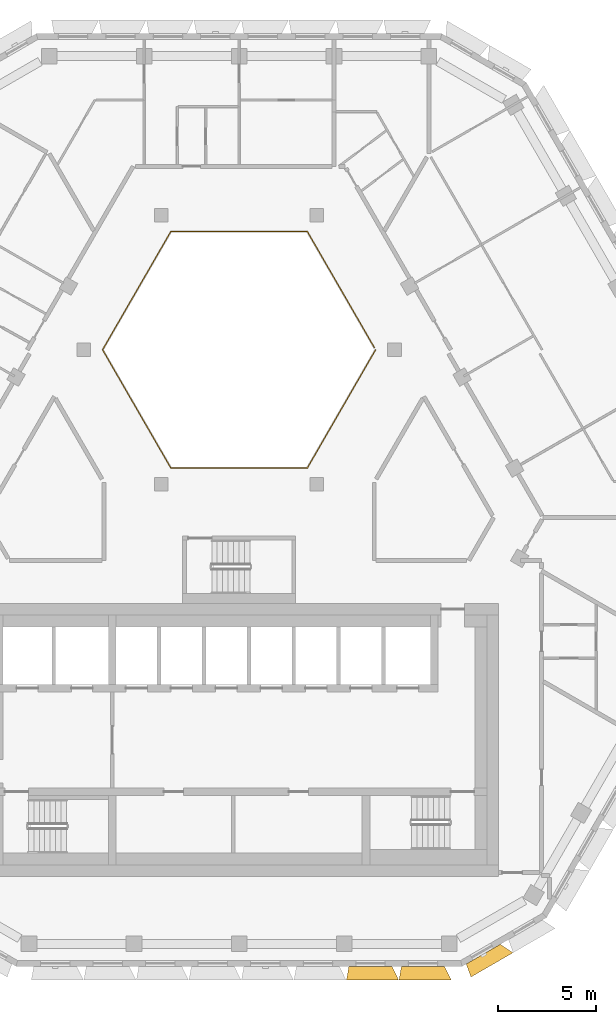
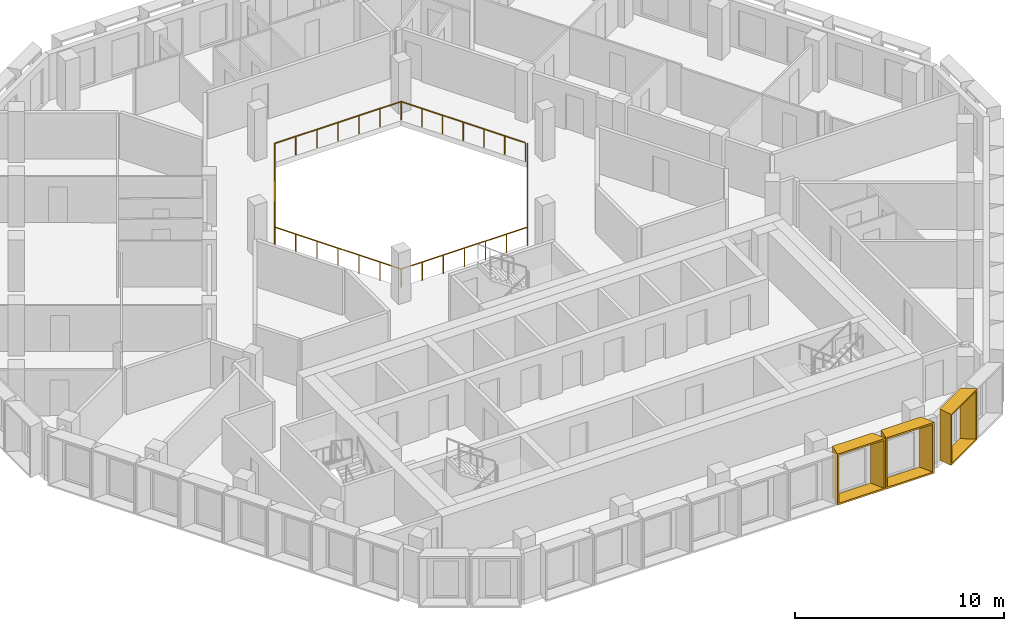
# One storey, part 15 of 17: 3 shading devices, 1 railing.
"""IFC4 building model written with IfcOpenShell, lengths in metres."""

from ifc_helpers import new_model, entity, si_unit, direction, frame, origin, origin_2d, place, context, subcontext, project, spatial, rectangle, extrude, source, transform, mapped, material, type_object, type_shapes, element, save


model = new_model("IFC4")

# Units and contexts
model_context = context("Model", 3, precision=1e-05, world=origin(), true_north=direction((0.0, 1.0)))
body_context = subcontext(model_context, "Body", "Model", "MODEL_VIEW")
ifc_project = project(units=[si_unit("LENGTHUNIT", "METRE"), si_unit("AREAUNIT", "SQUARE_METRE"), si_unit("VOLUMEUNIT", "CUBIC_METRE"), si_unit("PLANEANGLEUNIT", "RADIAN"), si_unit("MASSUNIT", "GRAM", prefix="KILO")], contexts=[model_context])

# Site, building, storey
site_placement = place(None, origin())
site = spatial("IfcSite", under=ifc_project, at=site_placement, CompositionType="ELEMENT")
building_placement = place(site_placement, origin())
building = spatial("IfcBuilding", under=site, at=building_placement, Name="Beryl Residences", CompositionType="ELEMENT")
storey_placement = place(building_placement, frame((0.0, 0.0, 178.199951171875)))
storey = spatial("IfcBuildingStorey", under=building, at=storey_placement, Name="L54", CompositionType="ELEMENT", Elevation=178.199951171875)

# Railing
ifc_material_1 = material(Name="Stainless steel balustrade with glass infill", Category="steel")
railing_type = type_object("IfcRailingType", Name="EG1 edge guard 1100 mm", PredefinedType="GUARDRAIL", material=ifc_material_1)
railing_placement = place(storey_placement, frame((6.9970703125, 8.0, 0.0)))
element("IfcRailing", 1, at=railing_placement, inside=storey, type_object=railing_type, Name="L54 atrium guard", PredefinedType="GUARDRAIL", context=body_context, shape_type="SweptSolid", body=[
    extrude(rectangle(XDim=0.048095703125, YDim=0.048095703125, at=origin_2d()), frame((0.0, 0.0, 1.076171875), z_axis=(-0.499921796684, -0.866070549782, 0.0), x_axis=(0.866070549782, -0.499921796684, 0.0)), (0.0, 0.0, 1.0), 6.9970703125),
    extrude(rectangle(XDim=0.048095703125, YDim=0.048095703125, at=origin_2d()), frame((-3.498046875, -6.06005859375, 1.076171875), z_axis=(-1.0, 0.0, 0.0), x_axis=(0.0, -1.0, 0.0)), (0.0, 0.0, 1.0), 6.998046875),
    extrude(rectangle(XDim=0.048095703125, YDim=0.048095703125, at=origin_2d()), frame((-10.49609375, -6.06005859375, 1.076171875), z_axis=(-0.499921796684, 0.866070549782, 0.0), x_axis=(-0.866070549782, -0.499921796684, 0.0)), (0.0, 0.0, 1.0), 6.9970703125),
    extrude(rectangle(XDim=0.048095703125, YDim=0.048095703125, at=origin_2d()), frame((-13.994140625, 0.0, 1.076171875), z_axis=(0.499921796684, 0.866070549782, 0.0), x_axis=(-0.866070549782, 0.499921796684, 0.0)), (0.0, 0.0, 1.0), 6.9970703125),
    extrude(rectangle(XDim=0.048095703125, YDim=0.048095703125, at=origin_2d()), frame((-10.49609375, 6.06005859375, 1.076171875), z_axis=(1.0, 0.0, 0.0), x_axis=(0.0, 1.0, 0.0)), (0.0, 0.0, 1.0), 6.998046875),
    extrude(rectangle(XDim=0.048095703125, YDim=0.048095703125, at=origin_2d()), frame((-3.498046875, 6.06005859375, 1.076171875), z_axis=(0.499919131929, -0.866072087953, 0.0), x_axis=(0.866072087953, 0.499919131929, 0.0)), (0.0, 0.0, 1.0), 6.877197265625),
    extrude(rectangle(XDim=0.0419921875, YDim=0.0419921875, at=origin_2d()), origin(), (0.0, 0.0, 1.0), 1.052001953125),
    extrude(rectangle(XDim=0.0419921875, YDim=0.0419921875, at=origin_2d()), frame((-0.5830078125, -1.010009765625, 0.0)), (0.0, 0.0, 1.0), 1.052001953125),
    extrude(rectangle(XDim=0.0419921875, YDim=0.0419921875, at=origin_2d()), frame((-1.166015625, -2.02001953125, 0.0)), (0.0, 0.0, 1.0), 1.052001953125),
    extrude(rectangle(XDim=0.0419921875, YDim=0.0419921875, at=origin_2d()), frame((-1.7490234375, -3.030029296875, 0.0)), (0.0, 0.0, 1.0), 1.052001953125),
    extrude(rectangle(XDim=0.0419921875, YDim=0.0419921875, at=origin_2d()), frame((-2.33203125, -4.0400390625, 0.0)), (0.0, 0.0, 1.0), 1.052001953125),
    extrude(rectangle(XDim=0.0419921875, YDim=0.0419921875, at=origin_2d()), frame((-2.9150390625, -5.050048828125, 0.0)), (0.0, 0.0, 1.0), 1.052001953125),
    extrude(rectangle(XDim=0.0419921875, YDim=0.0419921875, at=origin_2d()), frame((-3.498046875, -6.06005859375, 0.0)), (0.0, 0.0, 1.0), 1.052001953125),
    extrude(rectangle(XDim=0.0419921875, YDim=0.0419921875, at=origin_2d()), frame((-4.664306640625, -6.06005859375, 0.0)), (0.0, 0.0, 1.0), 1.052001953125),
    extrude(rectangle(XDim=0.0419921875, YDim=0.0419921875, at=origin_2d()), frame((-5.830810546875, -6.06005859375, 0.0)), (0.0, 0.0, 1.0), 1.052001953125),
    extrude(rectangle(XDim=0.0419921875, YDim=0.0419921875, at=origin_2d()), frame((-6.9970703125, -6.06005859375, 0.0)), (0.0, 0.0, 1.0), 1.052001953125),
    extrude(rectangle(XDim=0.0419921875, YDim=0.0419921875, at=origin_2d()), frame((-8.163330078125, -6.06005859375, 0.0)), (0.0, 0.0, 1.0), 1.052001953125),
    extrude(rectangle(XDim=0.0419921875, YDim=0.0419921875, at=origin_2d()), frame((-9.329833984375, -6.06005859375, 0.0)), (0.0, 0.0, 1.0), 1.052001953125),
    extrude(rectangle(XDim=0.0419921875, YDim=0.0419921875, at=origin_2d()), frame((-10.49609375, -6.06005859375, 0.0)), (0.0, 0.0, 1.0), 1.052001953125),
    extrude(rectangle(XDim=0.0419921875, YDim=0.0419921875, at=origin_2d()), frame((-11.0791015625, -5.050048828125, 0.0)), (0.0, 0.0, 1.0), 1.052001953125),
    extrude(rectangle(XDim=0.0419921875, YDim=0.0419921875, at=origin_2d()), frame((-11.662109375, -4.0400390625, 0.0)), (0.0, 0.0, 1.0), 1.052001953125),
    extrude(rectangle(XDim=0.0419921875, YDim=0.0419921875, at=origin_2d()), frame((-12.2451171875, -3.030029296875, 0.0)), (0.0, 0.0, 1.0), 1.052001953125),
    extrude(rectangle(XDim=0.0419921875, YDim=0.0419921875, at=origin_2d()), frame((-12.828125, -2.02001953125, 0.0)), (0.0, 0.0, 1.0), 1.052001953125),
    extrude(rectangle(XDim=0.0419921875, YDim=0.0419921875, at=origin_2d()), frame((-13.4111328125, -1.010009765625, 0.0)), (0.0, 0.0, 1.0), 1.052001953125),
    extrude(rectangle(XDim=0.0419921875, YDim=0.0419921875, at=origin_2d()), frame((-13.994140625, 0.0, 0.0)), (0.0, 0.0, 1.0), 1.052001953125),
    extrude(rectangle(XDim=0.0419921875, YDim=0.0419921875, at=origin_2d()), frame((-13.4111328125, 1.010009765625, 0.0)), (0.0, 0.0, 1.0), 1.052001953125),
    extrude(rectangle(XDim=0.0419921875, YDim=0.0419921875, at=origin_2d()), frame((-12.828125, 2.02001953125, 0.0)), (0.0, 0.0, 1.0), 1.052001953125),
    extrude(rectangle(XDim=0.0419921875, YDim=0.0419921875, at=origin_2d()), frame((-12.2451171875, 3.030029296875, 0.0)), (0.0, 0.0, 1.0), 1.052001953125),
    extrude(rectangle(XDim=0.0419921875, YDim=0.0419921875, at=origin_2d()), frame((-11.662109375, 4.0400390625, 0.0)), (0.0, 0.0, 1.0), 1.052001953125),
    extrude(rectangle(XDim=0.0419921875, YDim=0.0419921875, at=origin_2d()), frame((-11.0791015625, 5.050048828125, 0.0)), (0.0, 0.0, 1.0), 1.052001953125),
    extrude(rectangle(XDim=0.0419921875, YDim=0.0419921875, at=origin_2d()), frame((-10.49609375, 6.06005859375, 0.0)), (0.0, 0.0, 1.0), 1.052001953125),
    extrude(rectangle(XDim=0.0419921875, YDim=0.0419921875, at=origin_2d()), frame((-9.329833984375, 6.06005859375, 0.0)), (0.0, 0.0, 1.0), 1.052001953125),
    extrude(rectangle(XDim=0.0419921875, YDim=0.0419921875, at=origin_2d()), frame((-8.163330078125, 6.06005859375, 0.0)), (0.0, 0.0, 1.0), 1.052001953125),
    extrude(rectangle(XDim=0.0419921875, YDim=0.0419921875, at=origin_2d()), frame((-6.9970703125, 6.06005859375, 0.0)), (0.0, 0.0, 1.0), 1.052001953125),
    extrude(rectangle(XDim=0.0419921875, YDim=0.0419921875, at=origin_2d()), frame((-5.830810546875, 6.06005859375, 0.0)), (0.0, 0.0, 1.0), 1.052001953125),
    extrude(rectangle(XDim=0.0419921875, YDim=0.0419921875, at=origin_2d()), frame((-4.664306640625, 6.06005859375, 0.0)), (0.0, 0.0, 1.0), 1.052001953125),
    extrude(rectangle(XDim=0.0419921875, YDim=0.0419921875, at=origin_2d()), frame((-3.498046875, 6.06005859375, 0.0)), (0.0, 0.0, 1.0), 1.052001953125),
    extrude(rectangle(XDim=0.0419921875, YDim=0.0419921875, at=origin_2d()), frame((-2.925048828125, 5.0673828125, 0.0)), (0.0, 0.0, 1.0), 1.052001953125),
    extrude(rectangle(XDim=0.0419921875, YDim=0.0419921875, at=origin_2d()), frame((-2.35205078125, 4.07470703125, 0.0)), (0.0, 0.0, 1.0), 1.052001953125),
    extrude(rectangle(XDim=0.0419921875, YDim=0.0419921875, at=origin_2d()), frame((-1.779052734375, 3.08203125, 0.0)), (0.0, 0.0, 1.0), 1.052001953125),
    extrude(rectangle(XDim=0.0419921875, YDim=0.0419921875, at=origin_2d()), frame((-1.2060546875, 2.08935546875, 0.0)), (0.0, 0.0, 1.0), 1.052001953125),
    extrude(rectangle(XDim=0.0419921875, YDim=0.0419921875, at=origin_2d()), frame((-0.633056640625, 1.0966796875, 0.0)), (0.0, 0.0, 1.0), 1.052001953125),
    extrude(rectangle(XDim=0.0419921875, YDim=0.0419921875, at=origin_2d()), frame((-0.06005859375, 0.10400390625, 0.0)), (0.0, 0.0, 1.0), 1.052001953125),
])

# Shading devices
ifc_material_2 = material(Name="Aluminium pale anodised", Category="aluminium")
shading_device_type_1 = type_object("IfcShadingDeviceType", Name="FR250-70C OUTER SKIN frame 700 mm deep, splay 10/26 deg, 2500 x 3000 mm cell", PredefinedType="USERDEFINED", material=ifc_material_2)
cartesian_point_1 = entity("IfcCartesianPoint", [-1.007568359375, 0.0])
cartesian_point_2 = entity("IfcCartesianPoint", [-0.92626953125, 0.10009765625])
cartesian_point_3 = entity("IfcCartesianPoint", [-1.130859375, 0.0])
cartesian_point_4 = entity("IfcCartesianPoint", [-1.0498046875, 0.10009765625])
shared_shape_1 = source(origin(), body_context, "Body", "SweptSolid", [
    entity("IfcExtrudedAreaSolidTapered", entity("IfcArbitraryProfileDefWithVoids", "AREA", None, entity("IfcPolyline", [cartesian_point_1, entity("IfcCartesianPoint", [1.007568359375, 0.0]), entity("IfcCartesianPoint", [1.007568359375, 3.0]), entity("IfcCartesianPoint", [-1.007568359375, 3.0]), cartesian_point_1]), [entity("IfcPolyline", [cartesian_point_2, entity("IfcCartesianPoint", [0.91845703125, 0.10009765625]), entity("IfcCartesianPoint", [0.91845703125, 2.89990234375]), entity("IfcCartesianPoint", [-0.92626953125, 2.89990234375]), cartesian_point_2])]), entity("IfcAxis2Placement3D", entity("IfcCartesianPoint", [0.0, 0.0, 0.0]), entity("IfcDirection", [0.0, 1.0, 0.0]), entity("IfcDirection", [-1.0, 0.0, 0.0])), entity("IfcDirection", [0.0, 0.0, 1.0]), 0.699951171875, entity("IfcArbitraryProfileDefWithVoids", "AREA", None, entity("IfcPolyline", [cartesian_point_3, entity("IfcCartesianPoint", [1.348876953125, 0.0]), entity("IfcCartesianPoint", [1.348876953125, 3.0]), entity("IfcCartesianPoint", [-1.130859375, 3.0]), cartesian_point_3]), [entity("IfcPolyline", [cartesian_point_4, entity("IfcCartesianPoint", [1.260009765625, 0.10009765625]), entity("IfcCartesianPoint", [1.260009765625, 2.89990234375]), entity("IfcCartesianPoint", [-1.0498046875, 2.89990234375]), cartesian_point_4])])),
])
type_shapes(shading_device_type_1, [shared_shape_1])
shading_device_placement = place(storey_placement, frame((12.513916015625, -22.97509765625, 0.0), z_axis=(0.0, 0.0, 1.0), x_axis=(-0.866025403784, -0.5, 0.0)))
element("IfcShadingDevice", 2, at=shading_device_placement, inside=storey, type_object=shading_device_type_1, Name="FR250-70C frame L54 S-SE 1", ObjectType="OUTER SKIN", PredefinedType="USERDEFINED", context=body_context, shape_type="MappedRepresentation", body=[
    mapped(shared_shape_1, transform((0.0, 0.0, 0.0))),
])
ifc_material_3 = material(Name="Aluminium pale anodised", Category="aluminium")
shading_device_type_2 = type_object("IfcShadingDeviceType", Name="FR269-70C OUTER SKIN frame 700 mm deep, splay 10/26 deg, 2690 x 3000 mm cell", PredefinedType="USERDEFINED", material=ifc_material_3)
cartesian_point_5 = entity("IfcCartesianPoint", [-1.1025390625, 0.0])
cartesian_point_6 = entity("IfcCartesianPoint", [-1.021240234375, 0.10009765625])
cartesian_point_7 = entity("IfcCartesianPoint", [-1.225830078125, 0.0])
cartesian_point_8 = entity("IfcCartesianPoint", [-1.144775390625, 0.10009765625])
shared_shape_2 = source(origin(), body_context, "Body", "SweptSolid", [
    entity("IfcExtrudedAreaSolidTapered", entity("IfcArbitraryProfileDefWithVoids", "AREA", None, entity("IfcPolyline", [cartesian_point_5, entity("IfcCartesianPoint", [1.1025390625, 0.0]), entity("IfcCartesianPoint", [1.1025390625, 3.0]), entity("IfcCartesianPoint", [-1.1025390625, 3.0]), cartesian_point_5]), [entity("IfcPolyline", [cartesian_point_6, entity("IfcCartesianPoint", [1.013427734375, 0.10009765625]), entity("IfcCartesianPoint", [1.013427734375, 2.89990234375]), entity("IfcCartesianPoint", [-1.021240234375, 2.89990234375]), cartesian_point_6])]), entity("IfcAxis2Placement3D", entity("IfcCartesianPoint", [0.0, 0.0, 0.0]), entity("IfcDirection", [0.0, 1.0, 0.0]), entity("IfcDirection", [-1.0, 0.0, 0.0])), entity("IfcDirection", [0.0, 0.0, 1.0]), 0.699951171875, entity("IfcArbitraryProfileDefWithVoids", "AREA", None, entity("IfcPolyline", [cartesian_point_7, entity("IfcCartesianPoint", [1.44384765625, 0.0]), entity("IfcCartesianPoint", [1.44384765625, 3.0]), entity("IfcCartesianPoint", [-1.225830078125, 3.0]), cartesian_point_7]), [entity("IfcPolyline", [cartesian_point_8, entity("IfcCartesianPoint", [1.35498046875, 0.10009765625]), entity("IfcCartesianPoint", [1.35498046875, 2.89990234375]), entity("IfcCartesianPoint", [-1.144775390625, 2.89990234375]), cartesian_point_8])])),
])
type_shapes(shading_device_type_2, [shared_shape_2])
for number, where, z_axis, x_axis, name in (
    (3, (6.73095703125, -23.60009765625, 0.0), (0.0, 0.0, 1.0), (-1.0, 0.0, 0.0), "FR269-70C frame L54 S 7"),
    (4, (9.423095703125, -23.60009765625, 0.0), (0.0, 0.0, 1.0), (-1.0, 0.0, 0.0), "FR269-70C frame L54 S 8"),
):
    element("IfcShadingDevice", number, at=place(storey_placement, frame(where, z_axis=z_axis, x_axis=x_axis)), inside=storey, type_object=shading_device_type_2, Name=name, ObjectType="OUTER SKIN", PredefinedType="USERDEFINED", context=body_context, shape_type="MappedRepresentation", body=[
        mapped(shared_shape_2, transform((0.0, 0.0, 0.0))),
    ])

save(model, "model.ifc")
